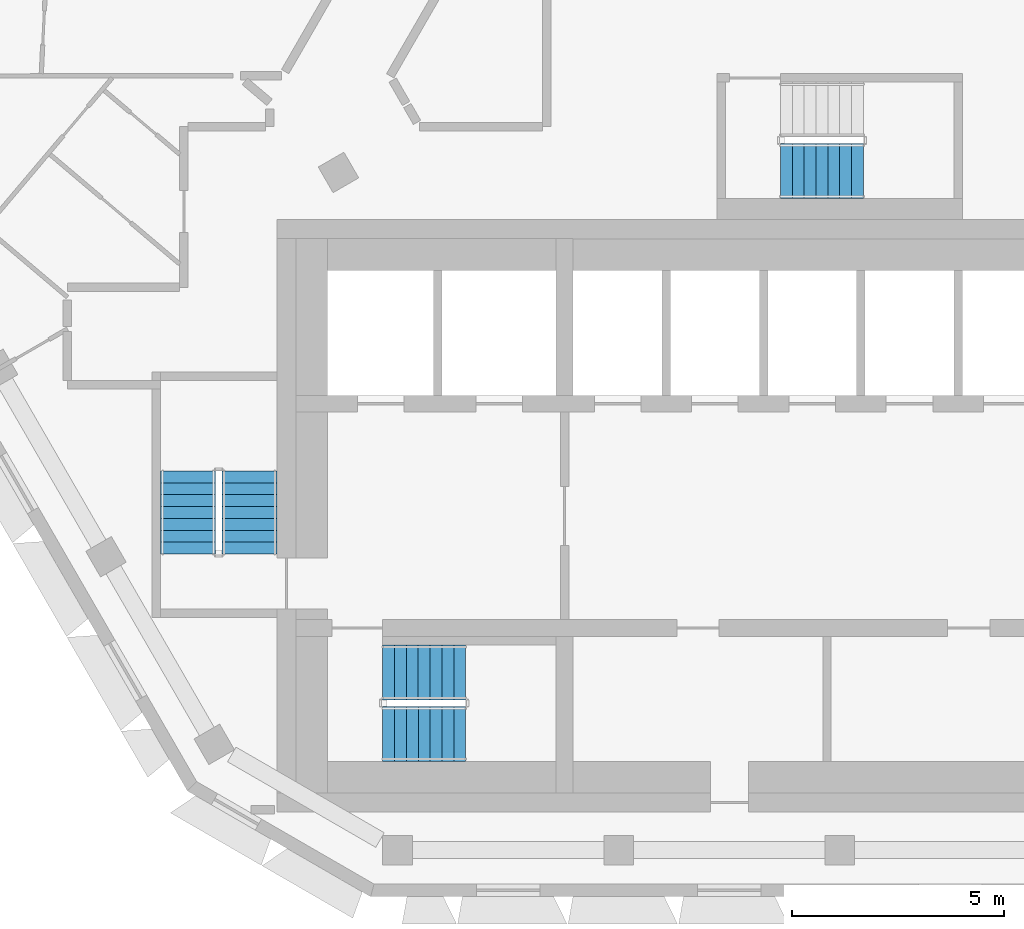
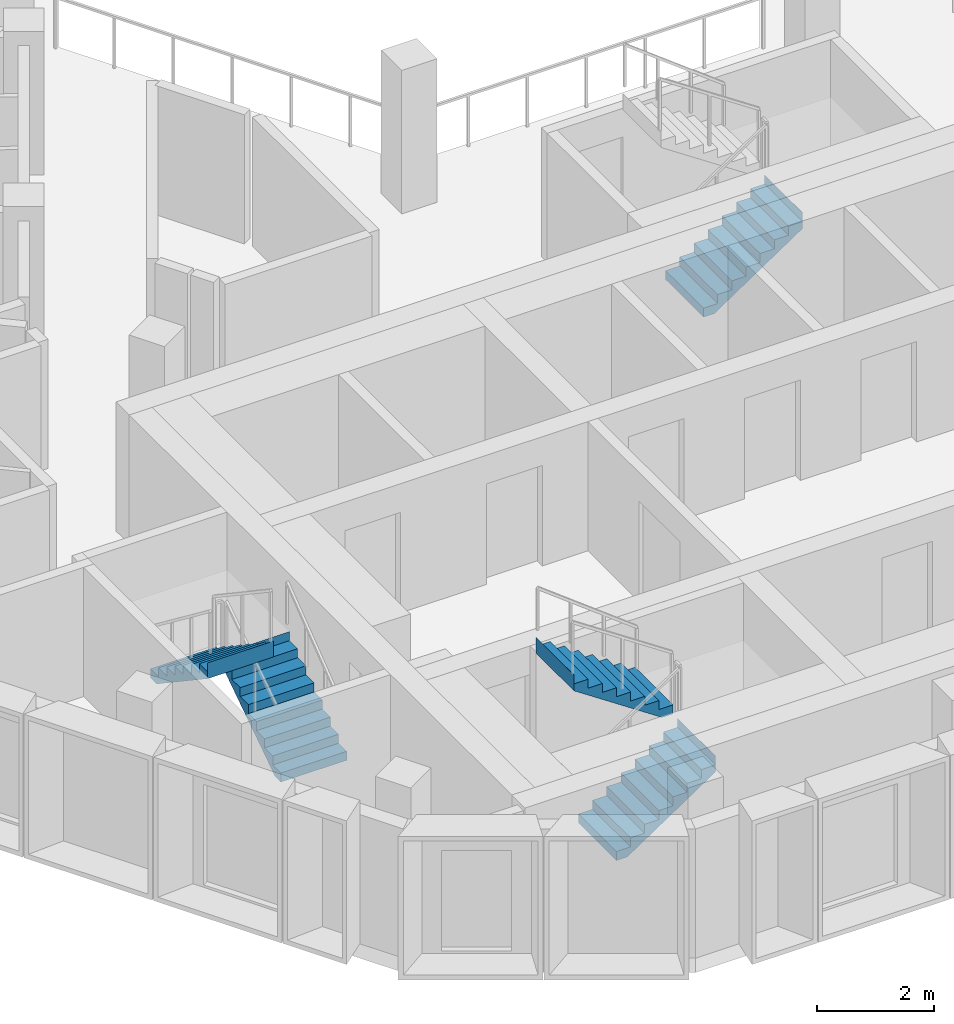
# One storey, part 9 of 15: 5 stair flights, 3 elements without a shape of their own.
"""IFC4 building model written with IfcOpenShell, lengths in metres."""

import ifcopenshell
import ifcopenshell.guid

model = None  # the IFC model being written
_history = None  # IfcOwnerHistory: only IFC2X3 demands one
_inside = {}  # id of a spatial element -> (the spatial element, [elements in it])
_under = {}  # id of a project, library or spatial element -> (it, [spatial elements below it])
_declared = {}  # id of a project -> (the project, [libraries it declares])
_typed = {}  # id of a type object -> (the type object, [elements of that type])
_made_of = {}  # id of a material, layer set ... -> (it, [elements and type objects made of it])


def new_model(schema):
    """Start an empty IFC model of exactly this schema.

    Asked for "IFC4X3", IfcOpenShell would pick the latest addendum, in which some entities
    have other attributes; the version numbers below select the first issue.
    IFC2X3 requires an IfcOwnerHistory on every rooted entity: one is made here for all.
    """
    global model, _history
    if schema == "IFC4X3":
        model = ifcopenshell.file(schema_version=(4, 3, 0, 0))
    else:
        model = ifcopenshell.file(schema=schema)
    _inside.clear()
    _under.clear()
    _declared.clear()
    _typed.clear()
    _made_of.clear()
    _history = None
    if model.schema == "IFC2X3":
        org = make("IfcOrganization", Name="unknown")
        user = make(
            "IfcPersonAndOrganization",
            ThePerson=make("IfcPerson", FamilyName="unknown"),
            TheOrganization=org,
        )
        app = make(
            "IfcApplication",
            ApplicationDeveloper=org,
            Version="unknown",
            ApplicationFullName="unknown",
            ApplicationIdentifier="unknown",
        )
        _history = make(
            "IfcOwnerHistory",
            OwningUser=user,
            OwningApplication=app,
            ChangeAction="ADDED",
            CreationDate=0,
        )
    return model


def make(cls, **values):
    """One entity of the class cls with the attributes given. An attribute that is None is left unset."""
    return model.create_entity(
        cls, **{name: value for name, value in values.items() if value is not None}
    )


def rooted(cls, **values):
    """An entity with a GlobalId (a new one), such as an element, a storey or a relation."""
    return make(cls, GlobalId=ifcopenshell.guid.new(), OwnerHistory=_history, **values)


def si_unit(unit_type, name, prefix=None):
    """IfcSIUnit, for example si_unit("LENGTHUNIT", "METRE", prefix="MILLI")."""
    return make("IfcSIUnit", UnitType=unit_type, Prefix=prefix, Name=name)


def assignment(units):
    """IfcUnitAssignment: the units of a project."""
    return None if units is None else make("IfcUnitAssignment", Units=units)


def point(xyz):
    """IfcCartesianPoint."""
    return None if xyz is None else make("IfcCartesianPoint", Coordinates=xyz)


def direction(xyz):
    """IfcDirection."""
    return None if xyz is None else make("IfcDirection", DirectionRatios=xyz)


def frame(location, z_axis=None, x_axis=None):
    """IfcAxis2Placement3D, a coordinate frame: its origin and axes. An axis left out is left unset."""
    return make(
        "IfcAxis2Placement3D",
        Location=point(location),
        Axis=direction(z_axis),
        RefDirection=direction(x_axis),
    )


def origin():
    """The frame at (0, 0, 0) with its axes left unset."""
    return frame((0.0, 0.0, 0.0))


def place(relative_to, where):
    """IfcLocalPlacement: puts the frame where relative to a parent placement (None: the world)."""
    return make(
        "IfcLocalPlacement", PlacementRelTo=relative_to, RelativePlacement=where
    )


def context(
    kind, dimensions, precision=None, world=None, true_north=None, identifier=None
):
    """IfcGeometricRepresentationContext, for example the 3D "Model" context."""
    return make(
        "IfcGeometricRepresentationContext",
        ContextIdentifier=identifier,
        ContextType=kind,
        CoordinateSpaceDimension=dimensions,
        Precision=precision,
        WorldCoordinateSystem=world,
        TrueNorth=true_north,
    )


def subcontext(parent, identifier, kind, view, scale=None):
    """IfcGeometricRepresentationSubContext, for example "Body" below "Model"."""
    return make(
        "IfcGeometricRepresentationSubContext",
        ContextIdentifier=identifier,
        ContextType=kind,
        ParentContext=parent,
        TargetScale=scale,
        TargetView=view,
    )


def project(units=None, contexts=None):
    """IfcProject with its units and contexts."""
    return rooted(
        "IfcProject",
        Name="project",
        RepresentationContexts=contexts,
        UnitsInContext=assignment(units),
    )


def spatial(cls, under=None, at=None, **own):
    """A site, building, storey or space (cls), placed at a placement, below another one or the project."""
    s = rooted(cls, ObjectPlacement=at, **own)
    if under is not None:
        _under.setdefault(under.id(), (under, []))[1].append(s)
    return s


def point_list(points):
    """IfcCartesianPointList2D or 3D."""
    cls = (
        "IfcCartesianPointList2D" if len(points[0]) == 2 else "IfcCartesianPointList3D"
    )
    return make(cls, CoordList=points)


def triangles(points, corners, closed=None, point_numbers=None):
    """IfcTriangulatedFaceSet: each triangle names its three corners, points numbered from 1."""
    return make(
        "IfcTriangulatedFaceSet",
        Coordinates=point_list(points),
        Closed=closed,
        CoordIndex=corners,
        PnIndex=point_numbers,
    )


def shape(context_of_items, identifier, shape_type, items):
    """IfcShapeRepresentation: the items that make up one representation, for example the "Body"."""
    return make(
        "IfcShapeRepresentation",
        ContextOfItems=context_of_items,
        RepresentationIdentifier=identifier,
        RepresentationType=shape_type,
        Items=items,
    )


def material(Name=None, Category=None):
    """IfcMaterial."""
    return make("IfcMaterial", Name=Name, Category=Category)


def made_of(thing, what):
    """Note that an element or type object is made of a material, layer set ...; save() writes the relation."""
    if what is not None:
        _made_of.setdefault(what.id(), (what, []))[1].append(thing)
    return thing


def type_object(cls, material=None, **own):
    """A type object (cls), such as IfcWallType, which elements share."""
    return made_of(rooted(cls, **own), material)


def element(
    cls,
    number,
    at=None,
    inside=None,
    cuts=None,
    type_object=None,
    material=None,
    context=None,
    identifier="Body",
    shape_type=None,
    held_by="IfcProductDefinitionShape",
    body=None,
    shapes=None,
    **own,
):
    """One element of the class cls, such as IfcWall. Its Tag is "e" and its number.

    at: its placement. inside: the storey or other place that contains it. cuts: it is an
    opening in that element (IfcRelVoidsElement). A single representation is given by context,
    identifier, shape_type and body (its items); several are given by shapes. held_by: the class
    of the entity that holds the representations. save() writes the other relations.
    """
    e = rooted(cls, Tag="e%d" % number, ObjectPlacement=at, **own)
    if body is not None:
        shapes = [shape(context, identifier, shape_type, body)]
    if shapes is not None:
        e.Representation = make(held_by, Representations=shapes)
    if inside is not None:
        _inside.setdefault(inside.id(), (inside, []))[1].append(e)
    if cuts is not None:
        rooted(
            "IfcRelVoidsElement", RelatingBuildingElement=cuts, RelatedOpeningElement=e
        )
    if type_object is not None:
        _typed.setdefault(type_object.id(), (type_object, []))[1].append(e)
    return made_of(e, material)


def aggregate(whole, parts):
    """IfcRelAggregates: a whole, such as a stair, and the parts it consists of."""
    return rooted("IfcRelAggregates", RelatingObject=whole, RelatedObjects=parts)


def save(model, path):
    """Write the relations noted so far, then the file.

    IfcRelAggregates (storeys below a building ...), IfcRelContainedInSpatialStructure (elements
    in a storey), IfcRelDefinesByType, IfcRelAssociatesMaterial and IfcRelDeclares: one each for
    every whole, place, type object, material and project.
    """
    for whole, parts in _under.values():
        aggregate(whole, parts)
    for where, things in _inside.values():
        rooted(
            "IfcRelContainedInSpatialStructure",
            RelatedElements=things,
            RelatingStructure=where,
        )
    for kind, things in _typed.values():
        rooted("IfcRelDefinesByType", RelatedObjects=things, RelatingType=kind)
    for what, things in _made_of.values():
        rooted("IfcRelAssociatesMaterial", RelatedObjects=things, RelatingMaterial=what)
    for by, libraries in _declared.values():
        rooted("IfcRelDeclares", RelatingContext=by, RelatedDefinitions=libraries)
    model.write(path)


model = new_model("IFC4")

# Units and contexts
model_context = context("Model", 3, precision=1e-05, world=origin(), true_north=direction((0.0, 1.0)))
body_context = subcontext(model_context, "Body", "Model", "MODEL_VIEW")
ifc_project = project(units=[si_unit("LENGTHUNIT", "METRE"), si_unit("AREAUNIT", "SQUARE_METRE"), si_unit("VOLUMEUNIT", "CUBIC_METRE"), si_unit("PLANEANGLEUNIT", "RADIAN"), si_unit("MASSUNIT", "GRAM", prefix="KILO")], contexts=[model_context])

# Site, building, storey
site_placement = place(None, origin())
site = spatial("IfcSite", under=ifc_project, at=site_placement, CompositionType="ELEMENT")
building_placement = place(site_placement, origin())
building = spatial("IfcBuilding", under=site, at=building_placement, Name="Beryl Residences", CompositionType="ELEMENT")
storey_placement = place(building_placement, frame((0.0, 0.0, 211.800048828125)))
storey = spatial("IfcBuildingStorey", under=building, at=storey_placement, Name="L65", CompositionType="ELEMENT", Elevation=211.800048828125)

# Stair, stair flights
ifc_material_1 = material(Name="Concrete C40/50", Category="concrete")
stair_type = type_object("IfcStairType", Name="ST1 protected exit stair, half-turn, 1300 mm flights", PredefinedType="HALF_TURN_STAIR", material=ifc_material_1)
stair_1_placement = place(storey_placement, origin())
stair_1 = element("IfcStair", 1, at=stair_1_placement, inside=storey, type_object=stair_type, Name="L65 PROTECTED EXIT STAIR ST-1", PredefinedType="HALF_TURN_STAIR")
ifc_material_2 = material(Name="Concrete C40/50", Category="concrete")
stair_flight_type = type_object("IfcStairFlightType", Name="SF1 stair flight 1300 mm", PredefinedType="STRAIGHT", material=ifc_material_2)
stair_flight_1_placement = place(storey_placement, frame((-10.800048828125, -17.14990234375, 0.0), z_axis=(0.0, 0.0, 1.0), x_axis=(1.0, 0.0, 0.0)))
stair_flight_1 = element("IfcStairFlight", 2, at=stair_flight_1_placement, type_object=stair_flight_type, Name="ST-1 flight 1", NumberOfRisers=8, NumberOfTreads=7, PredefinedType="STRAIGHT", RiserHeight=0.1875, TreadLength=0.28, context=body_context, shape_type="Tessellation", body=[
    triangles([(0.0, -0.64990234375, 0.0), (0.0, -0.324951171875, 0.0), (0.0, 0.0, 0.0), (0.0, 0.324951171875, 0.0), (0.0, 0.64990234375, 0.0), (0.0, -0.64990234375, 0.1875), (0.0, -0.324951171875, 0.1875), (0.0, 0.0, 0.1875), (0.0, 0.324951171875, 0.1875), (0.0, 0.64990234375, 0.1875), (0.280029296875, -0.64990234375, 0.1875), (0.280029296875, -0.324951171875, 0.1875), (0.280029296875, 0.0, 0.1875), (0.280029296875, 0.324951171875, 0.1875), (0.280029296875, 0.64990234375, 0.1875), (0.280029296875, -0.64990234375, 0.375), (0.280029296875, -0.324951171875, 0.375), (0.280029296875, 0.0, 0.375), (0.280029296875, 0.324951171875, 0.375), (0.280029296875, 0.64990234375, 0.375), (0.56005859375, -0.64990234375, 0.375), (0.56005859375, -0.324951171875, 0.375), (0.56005859375, 0.0, 0.375), (0.56005859375, 0.324951171875, 0.375), (0.56005859375, 0.64990234375, 0.375), (0.56005859375, -0.64990234375, 0.5625), (0.56005859375, -0.324951171875, 0.5625), (0.56005859375, 0.0, 0.5625), (0.56005859375, 0.324951171875, 0.5625), (0.56005859375, 0.64990234375, 0.5625), (0.840087890625, -0.64990234375, 0.5625), (0.840087890625, -0.324951171875, 0.5625), (0.840087890625, 0.0, 0.5625), (0.840087890625, 0.324951171875, 0.5625), (0.840087890625, 0.64990234375, 0.5625), (0.840087890625, -0.64990234375, 0.75), (0.840087890625, -0.324951171875, 0.75), (0.840087890625, 0.0, 0.75), (0.840087890625, 0.324951171875, 0.75), (0.840087890625, 0.64990234375, 0.75), (1.1201171875, -0.64990234375, 0.75), (1.1201171875, -0.324951171875, 0.75), (1.1201171875, 0.0, 0.75), (1.1201171875, 0.324951171875, 0.75), (1.1201171875, 0.64990234375, 0.75), (1.1201171875, -0.64990234375, 0.9375), (1.1201171875, -0.324951171875, 0.9375), (1.1201171875, 0.0, 0.9375), (1.1201171875, 0.324951171875, 0.9375), (1.1201171875, 0.64990234375, 0.9375), (1.39990234375, -0.64990234375, 0.9375), (1.39990234375, -0.324951171875, 0.9375), (1.39990234375, 0.0, 0.9375), (1.39990234375, 0.324951171875, 0.9375), (1.39990234375, 0.64990234375, 0.9375), (1.39990234375, -0.64990234375, 1.125), (1.39990234375, -0.324951171875, 1.125), (1.39990234375, 0.0, 1.125), (1.39990234375, 0.324951171875, 1.125), (1.39990234375, 0.64990234375, 1.125), (1.679931640625, -0.64990234375, 1.125), (1.679931640625, -0.324951171875, 1.125), (1.679931640625, 0.0, 1.125), (1.679931640625, 0.324951171875, 1.125), (1.679931640625, 0.64990234375, 1.125), (1.679931640625, -0.64990234375, 1.3125), (1.679931640625, -0.324951171875, 1.3125), (1.679931640625, 0.0, 1.3125), (1.679931640625, 0.324951171875, 1.3125), (1.679931640625, 0.64990234375, 1.3125), (1.9599609375, -0.64990234375, 1.3125), (1.9599609375, -0.324951171875, 1.3125), (1.9599609375, 0.0, 1.3125), (1.9599609375, 0.324951171875, 1.3125), (1.9599609375, 0.64990234375, 1.3125), (1.9599609375, -0.64990234375, 1.5), (1.9599609375, -0.324951171875, 1.5), (1.9599609375, 0.0, 1.5), (1.9599609375, 0.324951171875, 1.5), (1.9599609375, 0.64990234375, 1.5), (1.9609375, -0.64990234375, 1.5), (1.9609375, -0.324951171875, 1.5), (1.9609375, 0.0, 1.5), (1.9609375, 0.324951171875, 1.5), (1.9609375, 0.64990234375, 1.5), (1.9609375, -0.64990234375, 1.16796875), (1.9609375, -0.324951171875, 1.16796875), (1.9609375, 0.0, 1.16796875), (1.9609375, 0.324951171875, 1.16796875), (1.9609375, 0.64990234375, 1.16796875), (0.216796875, -0.64990234375, 0.0), (0.216796875, -0.324951171875, 0.0), (0.216796875, 0.0, 0.0), (0.216796875, 0.324951171875, 0.0), (0.216796875, 0.64990234375, 0.0)], [[1, 6, 7], [1, 7, 2], [2, 7, 8], [2, 8, 3], [3, 8, 9], [3, 9, 4], [4, 9, 10], [4, 10, 5], [6, 11, 12], [6, 12, 7], [7, 12, 13], [7, 13, 8], [8, 13, 14], [8, 14, 9], [9, 14, 15], [9, 15, 10], [11, 16, 17], [11, 17, 12], [12, 17, 18], [12, 18, 13], [13, 18, 19], [13, 19, 14], [14, 19, 20], [14, 20, 15], [16, 21, 22], [16, 22, 17], [17, 22, 23], [17, 23, 18], [18, 23, 24], [18, 24, 19], [19, 24, 25], [19, 25, 20], [21, 26, 27], [21, 27, 22], [22, 27, 28], [22, 28, 23], [23, 28, 29], [23, 29, 24], [24, 29, 30], [24, 30, 25], [26, 31, 32], [26, 32, 27], [27, 32, 33], [27, 33, 28], [28, 33, 34], [28, 34, 29], [29, 34, 35], [29, 35, 30], [31, 36, 37], [31, 37, 32], [32, 37, 38], [32, 38, 33], [33, 38, 39], [33, 39, 34], [34, 39, 40], [34, 40, 35], [36, 41, 42], [36, 42, 37], [37, 42, 43], [37, 43, 38], [38, 43, 44], [38, 44, 39], [39, 44, 45], [39, 45, 40], [41, 46, 47], [41, 47, 42], [42, 47, 48], [42, 48, 43], [43, 48, 49], [43, 49, 44], [44, 49, 50], [44, 50, 45], [46, 51, 52], [46, 52, 47], [47, 52, 53], [47, 53, 48], [48, 53, 54], [48, 54, 49], [49, 54, 55], [49, 55, 50], [51, 56, 57], [51, 57, 52], [52, 57, 58], [52, 58, 53], [53, 58, 59], [53, 59, 54], [54, 59, 60], [54, 60, 55], [56, 61, 62], [56, 62, 57], [57, 62, 63], [57, 63, 58], [58, 63, 64], [58, 64, 59], [59, 64, 65], [59, 65, 60], [61, 66, 67], [61, 67, 62], [62, 67, 68], [62, 68, 63], [63, 68, 69], [63, 69, 64], [64, 69, 70], [64, 70, 65], [66, 71, 72], [66, 72, 67], [67, 72, 73], [67, 73, 68], [68, 73, 74], [68, 74, 69], [69, 74, 75], [69, 75, 70], [71, 76, 77], [71, 77, 72], [72, 77, 78], [72, 78, 73], [73, 78, 79], [73, 79, 74], [74, 79, 80], [74, 80, 75], [76, 81, 82], [76, 82, 77], [77, 82, 83], [77, 83, 78], [78, 83, 84], [78, 84, 79], [79, 84, 85], [79, 85, 80], [81, 86, 87], [81, 87, 82], [82, 87, 88], [82, 88, 83], [83, 88, 89], [83, 89, 84], [84, 89, 90], [84, 90, 85], [86, 91, 92], [86, 92, 87], [87, 92, 93], [87, 93, 88], [88, 93, 94], [88, 94, 89], [89, 94, 95], [89, 95, 90], [91, 1, 2], [91, 2, 92], [92, 2, 3], [92, 3, 93], [93, 3, 4], [93, 4, 94], [94, 4, 5], [94, 5, 95], [1, 91, 86], [5, 90, 95], [86, 81, 76], [90, 80, 85], [86, 76, 71], [90, 75, 80], [86, 71, 66], [90, 70, 75], [86, 66, 61], [90, 65, 70], [61, 56, 51], [65, 55, 60], [86, 61, 51], [90, 55, 65], [51, 46, 41], [55, 45, 50], [86, 51, 41], [90, 45, 55], [41, 36, 31], [45, 35, 40], [86, 41, 31], [90, 35, 45], [31, 26, 21], [35, 25, 30], [86, 31, 21], [90, 25, 35], [21, 16, 11], [25, 15, 20], [86, 21, 11], [90, 15, 25], [1, 86, 11], [5, 15, 90], [11, 6, 1], [15, 5, 10]], closed=True),
])
stair_flight_2_placement = place(storey_placement, frame((-8.840087890625, -15.699951171875, 1.5), z_axis=(0.0, 0.0, 1.0), x_axis=(-1.0, 0.0, 0.0)))
stair_flight_2 = element("IfcStairFlight", 3, at=stair_flight_2_placement, type_object=stair_flight_type, Name="ST-1 flight 2", NumberOfRisers=8, NumberOfTreads=7, PredefinedType="STRAIGHT", RiserHeight=0.1875, TreadLength=0.28, context=body_context, shape_type="Tessellation", body=[
    triangles([(0.0, -0.64990234375, 0.0), (0.0, -0.324951171875, 0.0), (0.0, 0.0, 0.0), (0.0, 0.324951171875, 0.0), (0.0, 0.64990234375, 0.0), (0.0, -0.64990234375, 0.1875), (0.0, -0.324951171875, 0.1875), (0.0, 0.0, 0.1875), (0.0, 0.324951171875, 0.1875), (0.0, 0.64990234375, 0.1875), (0.280029296875, -0.64990234375, 0.1875), (0.280029296875, -0.324951171875, 0.1875), (0.280029296875, 0.0, 0.1875), (0.280029296875, 0.324951171875, 0.1875), (0.280029296875, 0.64990234375, 0.1875), (0.280029296875, -0.64990234375, 0.375), (0.280029296875, -0.324951171875, 0.375), (0.280029296875, 0.0, 0.375), (0.280029296875, 0.324951171875, 0.375), (0.280029296875, 0.64990234375, 0.375), (0.56005859375, -0.64990234375, 0.375), (0.56005859375, -0.324951171875, 0.375), (0.56005859375, 0.0, 0.375), (0.56005859375, 0.324951171875, 0.375), (0.56005859375, 0.64990234375, 0.375), (0.56005859375, -0.64990234375, 0.5625), (0.56005859375, -0.324951171875, 0.5625), (0.56005859375, 0.0, 0.5625), (0.56005859375, 0.324951171875, 0.5625), (0.56005859375, 0.64990234375, 0.5625), (0.840087890625, -0.64990234375, 0.5625), (0.840087890625, -0.324951171875, 0.5625), (0.840087890625, 0.0, 0.5625), (0.840087890625, 0.324951171875, 0.5625), (0.840087890625, 0.64990234375, 0.5625), (0.840087890625, -0.64990234375, 0.75), (0.840087890625, -0.324951171875, 0.75), (0.840087890625, 0.0, 0.75), (0.840087890625, 0.324951171875, 0.75), (0.840087890625, 0.64990234375, 0.75), (1.1201171875, -0.64990234375, 0.75), (1.1201171875, -0.324951171875, 0.75), (1.1201171875, 0.0, 0.75), (1.1201171875, 0.324951171875, 0.75), (1.1201171875, 0.64990234375, 0.75), (1.1201171875, -0.64990234375, 0.9375), (1.1201171875, -0.324951171875, 0.9375), (1.1201171875, 0.0, 0.9375), (1.1201171875, 0.324951171875, 0.9375), (1.1201171875, 0.64990234375, 0.9375), (1.39990234375, -0.64990234375, 0.9375), (1.39990234375, -0.324951171875, 0.9375), (1.39990234375, 0.0, 0.9375), (1.39990234375, 0.324951171875, 0.9375), (1.39990234375, 0.64990234375, 0.9375), (1.39990234375, -0.64990234375, 1.125), (1.39990234375, -0.324951171875, 1.125), (1.39990234375, 0.0, 1.125), (1.39990234375, 0.324951171875, 1.125), (1.39990234375, 0.64990234375, 1.125), (1.679931640625, -0.64990234375, 1.125), (1.679931640625, -0.324951171875, 1.125), (1.679931640625, 0.0, 1.125), (1.679931640625, 0.324951171875, 1.125), (1.679931640625, 0.64990234375, 1.125), (1.679931640625, -0.64990234375, 1.3125), (1.679931640625, -0.324951171875, 1.3125), (1.679931640625, 0.0, 1.3125), (1.679931640625, 0.324951171875, 1.3125), (1.679931640625, 0.64990234375, 1.3125), (1.9599609375, -0.64990234375, 1.3125), (1.9599609375, -0.324951171875, 1.3125), (1.9599609375, 0.0, 1.3125), (1.9599609375, 0.324951171875, 1.3125), (1.9599609375, 0.64990234375, 1.3125), (1.9599609375, -0.64990234375, 1.5), (1.9599609375, -0.324951171875, 1.5), (1.9599609375, 0.0, 1.5), (1.9599609375, 0.324951171875, 1.5), (1.9599609375, 0.64990234375, 1.5), (1.9609375, -0.64990234375, 1.5), (1.9609375, -0.324951171875, 1.5), (1.9609375, 0.0, 1.5), (1.9609375, 0.324951171875, 1.5), (1.9609375, 0.64990234375, 1.5), (1.9609375, -0.64990234375, 1.16796875), (1.9609375, -0.324951171875, 1.16796875), (1.9609375, 0.0, 1.16796875), (1.9609375, 0.324951171875, 1.16796875), (1.9609375, 0.64990234375, 1.16796875), (0.216796875, -0.64990234375, 0.0), (0.216796875, -0.324951171875, 0.0), (0.216796875, 0.0, 0.0), (0.216796875, 0.324951171875, 0.0), (0.216796875, 0.64990234375, 0.0)], [[1, 6, 7], [1, 7, 2], [2, 7, 8], [2, 8, 3], [3, 8, 9], [3, 9, 4], [4, 9, 10], [4, 10, 5], [6, 11, 12], [6, 12, 7], [7, 12, 13], [7, 13, 8], [8, 13, 14], [8, 14, 9], [9, 14, 15], [9, 15, 10], [11, 16, 17], [11, 17, 12], [12, 17, 18], [12, 18, 13], [13, 18, 19], [13, 19, 14], [14, 19, 20], [14, 20, 15], [16, 21, 22], [16, 22, 17], [17, 22, 23], [17, 23, 18], [18, 23, 24], [18, 24, 19], [19, 24, 25], [19, 25, 20], [21, 26, 27], [21, 27, 22], [22, 27, 28], [22, 28, 23], [23, 28, 29], [23, 29, 24], [24, 29, 30], [24, 30, 25], [26, 31, 32], [26, 32, 27], [27, 32, 33], [27, 33, 28], [28, 33, 34], [28, 34, 29], [29, 34, 35], [29, 35, 30], [31, 36, 37], [31, 37, 32], [32, 37, 38], [32, 38, 33], [33, 38, 39], [33, 39, 34], [34, 39, 40], [34, 40, 35], [36, 41, 42], [36, 42, 37], [37, 42, 43], [37, 43, 38], [38, 43, 44], [38, 44, 39], [39, 44, 45], [39, 45, 40], [41, 46, 47], [41, 47, 42], [42, 47, 48], [42, 48, 43], [43, 48, 49], [43, 49, 44], [44, 49, 50], [44, 50, 45], [46, 51, 52], [46, 52, 47], [47, 52, 53], [47, 53, 48], [48, 53, 54], [48, 54, 49], [49, 54, 55], [49, 55, 50], [51, 56, 57], [51, 57, 52], [52, 57, 58], [52, 58, 53], [53, 58, 59], [53, 59, 54], [54, 59, 60], [54, 60, 55], [56, 61, 62], [56, 62, 57], [57, 62, 63], [57, 63, 58], [58, 63, 64], [58, 64, 59], [59, 64, 65], [59, 65, 60], [61, 66, 67], [61, 67, 62], [62, 67, 68], [62, 68, 63], [63, 68, 69], [63, 69, 64], [64, 69, 70], [64, 70, 65], [66, 71, 72], [66, 72, 67], [67, 72, 73], [67, 73, 68], [68, 73, 74], [68, 74, 69], [69, 74, 75], [69, 75, 70], [71, 76, 77], [71, 77, 72], [72, 77, 78], [72, 78, 73], [73, 78, 79], [73, 79, 74], [74, 79, 80], [74, 80, 75], [76, 81, 82], [76, 82, 77], [77, 82, 83], [77, 83, 78], [78, 83, 84], [78, 84, 79], [79, 84, 85], [79, 85, 80], [81, 86, 87], [81, 87, 82], [82, 87, 88], [82, 88, 83], [83, 88, 89], [83, 89, 84], [84, 89, 90], [84, 90, 85], [86, 91, 92], [86, 92, 87], [87, 92, 93], [87, 93, 88], [88, 93, 94], [88, 94, 89], [89, 94, 95], [89, 95, 90], [91, 1, 2], [91, 2, 92], [92, 2, 3], [92, 3, 93], [93, 3, 4], [93, 4, 94], [94, 4, 5], [94, 5, 95], [1, 91, 86], [5, 90, 95], [86, 81, 76], [90, 80, 85], [86, 76, 71], [90, 75, 80], [86, 71, 66], [90, 70, 75], [86, 66, 61], [90, 65, 70], [61, 56, 51], [65, 55, 60], [86, 61, 51], [90, 55, 65], [51, 46, 41], [55, 45, 50], [86, 51, 41], [90, 45, 55], [41, 36, 31], [45, 35, 40], [86, 41, 31], [90, 35, 45], [31, 26, 21], [35, 25, 30], [86, 31, 21], [90, 25, 35], [21, 16, 11], [25, 15, 20], [86, 21, 11], [90, 15, 25], [1, 86, 11], [5, 15, 90], [11, 6, 1], [15, 5, 10]], closed=True),
])
aggregate(stair_1, [stair_flight_1, stair_flight_2])

stair_2_placement = place(storey_placement, origin())
stair_2 = element("IfcStair", 4, at=stair_2_placement, inside=storey, type_object=stair_type, Name="L65 PROTECTED EXIT STAIR ST-2", PredefinedType="HALF_TURN_STAIR")
stair_flight_3_placement = place(storey_placement, frame((-13.949951171875, -12.89990234375, 0.0), z_axis=(0.0, 0.0, 1.0), x_axis=(0.0, 1.0, 0.0)))
stair_flight_3 = element("IfcStairFlight", 5, at=stair_flight_3_placement, type_object=stair_flight_type, Name="ST-2 flight 1", NumberOfRisers=8, NumberOfTreads=7, PredefinedType="STRAIGHT", RiserHeight=0.1875, TreadLength=0.28, context=body_context, shape_type="Tessellation", body=[
    triangles([(0.0, -0.64990234375, 0.0), (0.0, -0.324951171875, 0.0), (0.0, 0.0, 0.0), (0.0, 0.324951171875, 0.0), (0.0, 0.64990234375, 0.0), (0.0, -0.64990234375, 0.1875), (0.0, -0.324951171875, 0.1875), (0.0, 0.0, 0.1875), (0.0, 0.324951171875, 0.1875), (0.0, 0.64990234375, 0.1875), (0.280029296875, -0.64990234375, 0.1875), (0.280029296875, -0.324951171875, 0.1875), (0.280029296875, 0.0, 0.1875), (0.280029296875, 0.324951171875, 0.1875), (0.280029296875, 0.64990234375, 0.1875), (0.280029296875, -0.64990234375, 0.375), (0.280029296875, -0.324951171875, 0.375), (0.280029296875, 0.0, 0.375), (0.280029296875, 0.324951171875, 0.375), (0.280029296875, 0.64990234375, 0.375), (0.56005859375, -0.64990234375, 0.375), (0.56005859375, -0.324951171875, 0.375), (0.56005859375, 0.0, 0.375), (0.56005859375, 0.324951171875, 0.375), (0.56005859375, 0.64990234375, 0.375), (0.56005859375, -0.64990234375, 0.5625), (0.56005859375, -0.324951171875, 0.5625), (0.56005859375, 0.0, 0.5625), (0.56005859375, 0.324951171875, 0.5625), (0.56005859375, 0.64990234375, 0.5625), (0.840087890625, -0.64990234375, 0.5625), (0.840087890625, -0.324951171875, 0.5625), (0.840087890625, 0.0, 0.5625), (0.840087890625, 0.324951171875, 0.5625), (0.840087890625, 0.64990234375, 0.5625), (0.840087890625, -0.64990234375, 0.75), (0.840087890625, -0.324951171875, 0.75), (0.840087890625, 0.0, 0.75), (0.840087890625, 0.324951171875, 0.75), (0.840087890625, 0.64990234375, 0.75), (1.1201171875, -0.64990234375, 0.75), (1.1201171875, -0.324951171875, 0.75), (1.1201171875, 0.0, 0.75), (1.1201171875, 0.324951171875, 0.75), (1.1201171875, 0.64990234375, 0.75), (1.1201171875, -0.64990234375, 0.9375), (1.1201171875, -0.324951171875, 0.9375), (1.1201171875, 0.0, 0.9375), (1.1201171875, 0.324951171875, 0.9375), (1.1201171875, 0.64990234375, 0.9375), (1.39990234375, -0.64990234375, 0.9375), (1.39990234375, -0.324951171875, 0.9375), (1.39990234375, 0.0, 0.9375), (1.39990234375, 0.324951171875, 0.9375), (1.39990234375, 0.64990234375, 0.9375), (1.39990234375, -0.64990234375, 1.125), (1.39990234375, -0.324951171875, 1.125), (1.39990234375, 0.0, 1.125), (1.39990234375, 0.324951171875, 1.125), (1.39990234375, 0.64990234375, 1.125), (1.679931640625, -0.64990234375, 1.125), (1.679931640625, -0.324951171875, 1.125), (1.679931640625, 0.0, 1.125), (1.679931640625, 0.324951171875, 1.125), (1.679931640625, 0.64990234375, 1.125), (1.679931640625, -0.64990234375, 1.3125), (1.679931640625, -0.324951171875, 1.3125), (1.679931640625, 0.0, 1.3125), (1.679931640625, 0.324951171875, 1.3125), (1.679931640625, 0.64990234375, 1.3125), (1.9599609375, -0.64990234375, 1.3125), (1.9599609375, -0.324951171875, 1.3125), (1.9599609375, 0.0, 1.3125), (1.9599609375, 0.324951171875, 1.3125), (1.9599609375, 0.64990234375, 1.3125), (1.9599609375, -0.64990234375, 1.5), (1.9599609375, -0.324951171875, 1.5), (1.9599609375, 0.0, 1.5), (1.9599609375, 0.324951171875, 1.5), (1.9599609375, 0.64990234375, 1.5), (1.9609375, -0.64990234375, 1.5), (1.9609375, -0.324951171875, 1.5), (1.9609375, 0.0, 1.5), (1.9609375, 0.324951171875, 1.5), (1.9609375, 0.64990234375, 1.5), (1.9609375, -0.64990234375, 1.16796875), (1.9609375, -0.324951171875, 1.16796875), (1.9609375, 0.0, 1.16796875), (1.9609375, 0.324951171875, 1.16796875), (1.9609375, 0.64990234375, 1.16796875), (0.216796875, -0.64990234375, 0.0), (0.216796875, -0.324951171875, 0.0), (0.216796875, 0.0, 0.0), (0.216796875, 0.324951171875, 0.0), (0.216796875, 0.64990234375, 0.0)], [[1, 6, 7], [1, 7, 2], [2, 7, 8], [2, 8, 3], [3, 8, 9], [3, 9, 4], [4, 9, 10], [4, 10, 5], [6, 11, 12], [6, 12, 7], [7, 12, 13], [7, 13, 8], [8, 13, 14], [8, 14, 9], [9, 14, 15], [9, 15, 10], [11, 16, 17], [11, 17, 12], [12, 17, 18], [12, 18, 13], [13, 18, 19], [13, 19, 14], [14, 19, 20], [14, 20, 15], [16, 21, 22], [16, 22, 17], [17, 22, 23], [17, 23, 18], [18, 23, 24], [18, 24, 19], [19, 24, 25], [19, 25, 20], [21, 26, 27], [21, 27, 22], [22, 27, 28], [22, 28, 23], [23, 28, 29], [23, 29, 24], [24, 29, 30], [24, 30, 25], [26, 31, 32], [26, 32, 27], [27, 32, 33], [27, 33, 28], [28, 33, 34], [28, 34, 29], [29, 34, 35], [29, 35, 30], [31, 36, 37], [31, 37, 32], [32, 37, 38], [32, 38, 33], [33, 38, 39], [33, 39, 34], [34, 39, 40], [34, 40, 35], [36, 41, 42], [36, 42, 37], [37, 42, 43], [37, 43, 38], [38, 43, 44], [38, 44, 39], [39, 44, 45], [39, 45, 40], [41, 46, 47], [41, 47, 42], [42, 47, 48], [42, 48, 43], [43, 48, 49], [43, 49, 44], [44, 49, 50], [44, 50, 45], [46, 51, 52], [46, 52, 47], [47, 52, 53], [47, 53, 48], [48, 53, 54], [48, 54, 49], [49, 54, 55], [49, 55, 50], [51, 56, 57], [51, 57, 52], [52, 57, 58], [52, 58, 53], [53, 58, 59], [53, 59, 54], [54, 59, 60], [54, 60, 55], [56, 61, 62], [56, 62, 57], [57, 62, 63], [57, 63, 58], [58, 63, 64], [58, 64, 59], [59, 64, 65], [59, 65, 60], [61, 66, 67], [61, 67, 62], [62, 67, 68], [62, 68, 63], [63, 68, 69], [63, 69, 64], [64, 69, 70], [64, 70, 65], [66, 71, 72], [66, 72, 67], [67, 72, 73], [67, 73, 68], [68, 73, 74], [68, 74, 69], [69, 74, 75], [69, 75, 70], [71, 76, 77], [71, 77, 72], [72, 77, 78], [72, 78, 73], [73, 78, 79], [73, 79, 74], [74, 79, 80], [74, 80, 75], [76, 81, 82], [76, 82, 77], [77, 82, 83], [77, 83, 78], [78, 83, 84], [78, 84, 79], [79, 84, 85], [79, 85, 80], [81, 86, 87], [81, 87, 82], [82, 87, 88], [82, 88, 83], [83, 88, 89], [83, 89, 84], [84, 89, 90], [84, 90, 85], [86, 91, 92], [86, 92, 87], [87, 92, 93], [87, 93, 88], [88, 93, 94], [88, 94, 89], [89, 94, 95], [89, 95, 90], [91, 1, 2], [91, 2, 92], [92, 2, 3], [92, 3, 93], [93, 3, 4], [93, 4, 94], [94, 4, 5], [94, 5, 95], [1, 91, 86], [5, 90, 95], [86, 81, 76], [90, 80, 85], [86, 76, 71], [90, 75, 80], [86, 71, 66], [90, 70, 75], [86, 66, 61], [90, 65, 70], [61, 56, 51], [65, 55, 60], [86, 61, 51], [90, 55, 65], [51, 46, 41], [55, 45, 50], [86, 51, 41], [90, 45, 55], [41, 36, 31], [45, 35, 40], [86, 41, 31], [90, 35, 45], [31, 26, 21], [35, 25, 30], [86, 31, 21], [90, 25, 35], [21, 16, 11], [25, 15, 20], [86, 21, 11], [90, 15, 25], [1, 86, 11], [5, 15, 90], [11, 6, 1], [15, 5, 10]], closed=True),
])
stair_flight_4_placement = place(storey_placement, frame((-15.39990234375, -10.93994140625, 1.5), z_axis=(0.0, 0.0, 1.0), x_axis=(0.0, -1.0, 0.0)))
stair_flight_4 = element("IfcStairFlight", 6, at=stair_flight_4_placement, type_object=stair_flight_type, Name="ST-2 flight 2", NumberOfRisers=8, NumberOfTreads=7, PredefinedType="STRAIGHT", RiserHeight=0.1875, TreadLength=0.28, context=body_context, shape_type="Tessellation", body=[
    triangles([(0.0, -0.64990234375, 0.0), (0.0, -0.324951171875, 0.0), (0.0, 0.0, 0.0), (0.0, 0.324951171875, 0.0), (0.0, 0.64990234375, 0.0), (0.0, -0.64990234375, 0.1875), (0.0, -0.324951171875, 0.1875), (0.0, 0.0, 0.1875), (0.0, 0.324951171875, 0.1875), (0.0, 0.64990234375, 0.1875), (0.280029296875, -0.64990234375, 0.1875), (0.280029296875, -0.324951171875, 0.1875), (0.280029296875, 0.0, 0.1875), (0.280029296875, 0.324951171875, 0.1875), (0.280029296875, 0.64990234375, 0.1875), (0.280029296875, -0.64990234375, 0.375), (0.280029296875, -0.324951171875, 0.375), (0.280029296875, 0.0, 0.375), (0.280029296875, 0.324951171875, 0.375), (0.280029296875, 0.64990234375, 0.375), (0.56005859375, -0.64990234375, 0.375), (0.56005859375, -0.324951171875, 0.375), (0.56005859375, 0.0, 0.375), (0.56005859375, 0.324951171875, 0.375), (0.56005859375, 0.64990234375, 0.375), (0.56005859375, -0.64990234375, 0.5625), (0.56005859375, -0.324951171875, 0.5625), (0.56005859375, 0.0, 0.5625), (0.56005859375, 0.324951171875, 0.5625), (0.56005859375, 0.64990234375, 0.5625), (0.840087890625, -0.64990234375, 0.5625), (0.840087890625, -0.324951171875, 0.5625), (0.840087890625, 0.0, 0.5625), (0.840087890625, 0.324951171875, 0.5625), (0.840087890625, 0.64990234375, 0.5625), (0.840087890625, -0.64990234375, 0.75), (0.840087890625, -0.324951171875, 0.75), (0.840087890625, 0.0, 0.75), (0.840087890625, 0.324951171875, 0.75), (0.840087890625, 0.64990234375, 0.75), (1.1201171875, -0.64990234375, 0.75), (1.1201171875, -0.324951171875, 0.75), (1.1201171875, 0.0, 0.75), (1.1201171875, 0.324951171875, 0.75), (1.1201171875, 0.64990234375, 0.75), (1.1201171875, -0.64990234375, 0.9375), (1.1201171875, -0.324951171875, 0.9375), (1.1201171875, 0.0, 0.9375), (1.1201171875, 0.324951171875, 0.9375), (1.1201171875, 0.64990234375, 0.9375), (1.39990234375, -0.64990234375, 0.9375), (1.39990234375, -0.324951171875, 0.9375), (1.39990234375, 0.0, 0.9375), (1.39990234375, 0.324951171875, 0.9375), (1.39990234375, 0.64990234375, 0.9375), (1.39990234375, -0.64990234375, 1.125), (1.39990234375, -0.324951171875, 1.125), (1.39990234375, 0.0, 1.125), (1.39990234375, 0.324951171875, 1.125), (1.39990234375, 0.64990234375, 1.125), (1.679931640625, -0.64990234375, 1.125), (1.679931640625, -0.324951171875, 1.125), (1.679931640625, 0.0, 1.125), (1.679931640625, 0.324951171875, 1.125), (1.679931640625, 0.64990234375, 1.125), (1.679931640625, -0.64990234375, 1.3125), (1.679931640625, -0.324951171875, 1.3125), (1.679931640625, 0.0, 1.3125), (1.679931640625, 0.324951171875, 1.3125), (1.679931640625, 0.64990234375, 1.3125), (1.9599609375, -0.64990234375, 1.3125), (1.9599609375, -0.324951171875, 1.3125), (1.9599609375, 0.0, 1.3125), (1.9599609375, 0.324951171875, 1.3125), (1.9599609375, 0.64990234375, 1.3125), (1.9599609375, -0.64990234375, 1.5), (1.9599609375, -0.324951171875, 1.5), (1.9599609375, 0.0, 1.5), (1.9599609375, 0.324951171875, 1.5), (1.9599609375, 0.64990234375, 1.5), (1.9609375, -0.64990234375, 1.5), (1.9609375, -0.324951171875, 1.5), (1.9609375, 0.0, 1.5), (1.9609375, 0.324951171875, 1.5), (1.9609375, 0.64990234375, 1.5), (1.9609375, -0.64990234375, 1.16796875), (1.9609375, -0.324951171875, 1.16796875), (1.9609375, 0.0, 1.16796875), (1.9609375, 0.324951171875, 1.16796875), (1.9609375, 0.64990234375, 1.16796875), (0.216796875, -0.64990234375, 0.0), (0.216796875, -0.324951171875, 0.0), (0.216796875, 0.0, 0.0), (0.216796875, 0.324951171875, 0.0), (0.216796875, 0.64990234375, 0.0)], [[1, 6, 7], [1, 7, 2], [2, 7, 8], [2, 8, 3], [3, 8, 9], [3, 9, 4], [4, 9, 10], [4, 10, 5], [6, 11, 12], [6, 12, 7], [7, 12, 13], [7, 13, 8], [8, 13, 14], [8, 14, 9], [9, 14, 15], [9, 15, 10], [11, 16, 17], [11, 17, 12], [12, 17, 18], [12, 18, 13], [13, 18, 19], [13, 19, 14], [14, 19, 20], [14, 20, 15], [16, 21, 22], [16, 22, 17], [17, 22, 23], [17, 23, 18], [18, 23, 24], [18, 24, 19], [19, 24, 25], [19, 25, 20], [21, 26, 27], [21, 27, 22], [22, 27, 28], [22, 28, 23], [23, 28, 29], [23, 29, 24], [24, 29, 30], [24, 30, 25], [26, 31, 32], [26, 32, 27], [27, 32, 33], [27, 33, 28], [28, 33, 34], [28, 34, 29], [29, 34, 35], [29, 35, 30], [31, 36, 37], [31, 37, 32], [32, 37, 38], [32, 38, 33], [33, 38, 39], [33, 39, 34], [34, 39, 40], [34, 40, 35], [36, 41, 42], [36, 42, 37], [37, 42, 43], [37, 43, 38], [38, 43, 44], [38, 44, 39], [39, 44, 45], [39, 45, 40], [41, 46, 47], [41, 47, 42], [42, 47, 48], [42, 48, 43], [43, 48, 49], [43, 49, 44], [44, 49, 50], [44, 50, 45], [46, 51, 52], [46, 52, 47], [47, 52, 53], [47, 53, 48], [48, 53, 54], [48, 54, 49], [49, 54, 55], [49, 55, 50], [51, 56, 57], [51, 57, 52], [52, 57, 58], [52, 58, 53], [53, 58, 59], [53, 59, 54], [54, 59, 60], [54, 60, 55], [56, 61, 62], [56, 62, 57], [57, 62, 63], [57, 63, 58], [58, 63, 64], [58, 64, 59], [59, 64, 65], [59, 65, 60], [61, 66, 67], [61, 67, 62], [62, 67, 68], [62, 68, 63], [63, 68, 69], [63, 69, 64], [64, 69, 70], [64, 70, 65], [66, 71, 72], [66, 72, 67], [67, 72, 73], [67, 73, 68], [68, 73, 74], [68, 74, 69], [69, 74, 75], [69, 75, 70], [71, 76, 77], [71, 77, 72], [72, 77, 78], [72, 78, 73], [73, 78, 79], [73, 79, 74], [74, 79, 80], [74, 80, 75], [76, 81, 82], [76, 82, 77], [77, 82, 83], [77, 83, 78], [78, 83, 84], [78, 84, 79], [79, 84, 85], [79, 85, 80], [81, 86, 87], [81, 87, 82], [82, 87, 88], [82, 88, 83], [83, 88, 89], [83, 89, 84], [84, 89, 90], [84, 90, 85], [86, 91, 92], [86, 92, 87], [87, 92, 93], [87, 93, 88], [88, 93, 94], [88, 94, 89], [89, 94, 95], [89, 95, 90], [91, 1, 2], [91, 2, 92], [92, 2, 3], [92, 3, 93], [93, 3, 4], [93, 4, 94], [94, 4, 5], [94, 5, 95], [1, 91, 86], [5, 90, 95], [86, 81, 76], [90, 80, 85], [86, 76, 71], [90, 75, 80], [86, 71, 66], [90, 70, 75], [86, 66, 61], [90, 65, 70], [61, 56, 51], [65, 55, 60], [86, 61, 51], [90, 55, 65], [51, 46, 41], [55, 45, 50], [86, 51, 41], [90, 45, 55], [41, 36, 31], [45, 35, 40], [86, 41, 31], [90, 35, 45], [31, 26, 21], [35, 25, 30], [86, 31, 21], [90, 25, 35], [21, 16, 11], [25, 15, 20], [86, 21, 11], [90, 15, 25], [1, 86, 11], [5, 15, 90], [11, 6, 1], [15, 5, 10]], closed=True),
])
aggregate(stair_2, [stair_flight_3, stair_flight_4])

# Stair, stair flight
stair_3_placement = place(storey_placement, origin())
stair_3 = element("IfcStair", 7, at=stair_3_placement, inside=storey, type_object=stair_type, Name="L65 PROTECTED EXIT STAIR ST-4", PredefinedType="HALF_TURN_STAIR")
stair_flight_5_placement = place(storey_placement, frame((-1.39990234375, -3.85009765625, 0.0), z_axis=(0.0, 0.0, 1.0), x_axis=(1.0, 0.0, 0.0)))
stair_flight_5 = element("IfcStairFlight", 8, at=stair_flight_5_placement, type_object=stair_flight_type, Name="ST-4 flight 1", NumberOfRisers=8, NumberOfTreads=7, PredefinedType="STRAIGHT", RiserHeight=0.1875, TreadLength=0.28, context=body_context, shape_type="Tessellation", body=[
    triangles([(0.0, -0.64990234375, 0.0), (0.0, -0.324951171875, 0.0), (0.0, 0.0, 0.0), (0.0, 0.324951171875, 0.0), (0.0, 0.64990234375, 0.0), (0.0, -0.64990234375, 0.1875), (0.0, -0.324951171875, 0.1875), (0.0, 0.0, 0.1875), (0.0, 0.324951171875, 0.1875), (0.0, 0.64990234375, 0.1875), (0.280029296875, -0.64990234375, 0.1875), (0.280029296875, -0.324951171875, 0.1875), (0.280029296875, 0.0, 0.1875), (0.280029296875, 0.324951171875, 0.1875), (0.280029296875, 0.64990234375, 0.1875), (0.280029296875, -0.64990234375, 0.375), (0.280029296875, -0.324951171875, 0.375), (0.280029296875, 0.0, 0.375), (0.280029296875, 0.324951171875, 0.375), (0.280029296875, 0.64990234375, 0.375), (0.56005859375, -0.64990234375, 0.375), (0.56005859375, -0.324951171875, 0.375), (0.56005859375, 0.0, 0.375), (0.56005859375, 0.324951171875, 0.375), (0.56005859375, 0.64990234375, 0.375), (0.56005859375, -0.64990234375, 0.5625), (0.56005859375, -0.324951171875, 0.5625), (0.56005859375, 0.0, 0.5625), (0.56005859375, 0.324951171875, 0.5625), (0.56005859375, 0.64990234375, 0.5625), (0.840087890625, -0.64990234375, 0.5625), (0.840087890625, -0.324951171875, 0.5625), (0.840087890625, 0.0, 0.5625), (0.840087890625, 0.324951171875, 0.5625), (0.840087890625, 0.64990234375, 0.5625), (0.840087890625, -0.64990234375, 0.75), (0.840087890625, -0.324951171875, 0.75), (0.840087890625, 0.0, 0.75), (0.840087890625, 0.324951171875, 0.75), (0.840087890625, 0.64990234375, 0.75), (1.1201171875, -0.64990234375, 0.75), (1.1201171875, -0.324951171875, 0.75), (1.1201171875, 0.0, 0.75), (1.1201171875, 0.324951171875, 0.75), (1.1201171875, 0.64990234375, 0.75), (1.1201171875, -0.64990234375, 0.9375), (1.1201171875, -0.324951171875, 0.9375), (1.1201171875, 0.0, 0.9375), (1.1201171875, 0.324951171875, 0.9375), (1.1201171875, 0.64990234375, 0.9375), (1.39990234375, -0.64990234375, 0.9375), (1.39990234375, -0.324951171875, 0.9375), (1.39990234375, 0.0, 0.9375), (1.39990234375, 0.324951171875, 0.9375), (1.39990234375, 0.64990234375, 0.9375), (1.39990234375, -0.64990234375, 1.125), (1.39990234375, -0.324951171875, 1.125), (1.39990234375, 0.0, 1.125), (1.39990234375, 0.324951171875, 1.125), (1.39990234375, 0.64990234375, 1.125), (1.679931640625, -0.64990234375, 1.125), (1.679931640625, -0.324951171875, 1.125), (1.679931640625, 0.0, 1.125), (1.679931640625, 0.324951171875, 1.125), (1.679931640625, 0.64990234375, 1.125), (1.679931640625, -0.64990234375, 1.3125), (1.679931640625, -0.324951171875, 1.3125), (1.679931640625, 0.0, 1.3125), (1.679931640625, 0.324951171875, 1.3125), (1.679931640625, 0.64990234375, 1.3125), (1.9599609375, -0.64990234375, 1.3125), (1.9599609375, -0.324951171875, 1.3125), (1.9599609375, 0.0, 1.3125), (1.9599609375, 0.324951171875, 1.3125), (1.9599609375, 0.64990234375, 1.3125), (1.9599609375, -0.64990234375, 1.5), (1.9599609375, -0.324951171875, 1.5), (1.9599609375, 0.0, 1.5), (1.9599609375, 0.324951171875, 1.5), (1.9599609375, 0.64990234375, 1.5), (1.9609375, -0.64990234375, 1.5), (1.9609375, -0.324951171875, 1.5), (1.9609375, 0.0, 1.5), (1.9609375, 0.324951171875, 1.5), (1.9609375, 0.64990234375, 1.5), (1.9609375, -0.64990234375, 1.16796875), (1.9609375, -0.324951171875, 1.16796875), (1.9609375, 0.0, 1.16796875), (1.9609375, 0.324951171875, 1.16796875), (1.9609375, 0.64990234375, 1.16796875), (0.216796875, -0.64990234375, 0.0), (0.216796875, -0.324951171875, 0.0), (0.216796875, 0.0, 0.0), (0.216796875, 0.324951171875, 0.0), (0.216796875, 0.64990234375, 0.0)], [[1, 6, 7], [1, 7, 2], [2, 7, 8], [2, 8, 3], [3, 8, 9], [3, 9, 4], [4, 9, 10], [4, 10, 5], [6, 11, 12], [6, 12, 7], [7, 12, 13], [7, 13, 8], [8, 13, 14], [8, 14, 9], [9, 14, 15], [9, 15, 10], [11, 16, 17], [11, 17, 12], [12, 17, 18], [12, 18, 13], [13, 18, 19], [13, 19, 14], [14, 19, 20], [14, 20, 15], [16, 21, 22], [16, 22, 17], [17, 22, 23], [17, 23, 18], [18, 23, 24], [18, 24, 19], [19, 24, 25], [19, 25, 20], [21, 26, 27], [21, 27, 22], [22, 27, 28], [22, 28, 23], [23, 28, 29], [23, 29, 24], [24, 29, 30], [24, 30, 25], [26, 31, 32], [26, 32, 27], [27, 32, 33], [27, 33, 28], [28, 33, 34], [28, 34, 29], [29, 34, 35], [29, 35, 30], [31, 36, 37], [31, 37, 32], [32, 37, 38], [32, 38, 33], [33, 38, 39], [33, 39, 34], [34, 39, 40], [34, 40, 35], [36, 41, 42], [36, 42, 37], [37, 42, 43], [37, 43, 38], [38, 43, 44], [38, 44, 39], [39, 44, 45], [39, 45, 40], [41, 46, 47], [41, 47, 42], [42, 47, 48], [42, 48, 43], [43, 48, 49], [43, 49, 44], [44, 49, 50], [44, 50, 45], [46, 51, 52], [46, 52, 47], [47, 52, 53], [47, 53, 48], [48, 53, 54], [48, 54, 49], [49, 54, 55], [49, 55, 50], [51, 56, 57], [51, 57, 52], [52, 57, 58], [52, 58, 53], [53, 58, 59], [53, 59, 54], [54, 59, 60], [54, 60, 55], [56, 61, 62], [56, 62, 57], [57, 62, 63], [57, 63, 58], [58, 63, 64], [58, 64, 59], [59, 64, 65], [59, 65, 60], [61, 66, 67], [61, 67, 62], [62, 67, 68], [62, 68, 63], [63, 68, 69], [63, 69, 64], [64, 69, 70], [64, 70, 65], [66, 71, 72], [66, 72, 67], [67, 72, 73], [67, 73, 68], [68, 73, 74], [68, 74, 69], [69, 74, 75], [69, 75, 70], [71, 76, 77], [71, 77, 72], [72, 77, 78], [72, 78, 73], [73, 78, 79], [73, 79, 74], [74, 79, 80], [74, 80, 75], [76, 81, 82], [76, 82, 77], [77, 82, 83], [77, 83, 78], [78, 83, 84], [78, 84, 79], [79, 84, 85], [79, 85, 80], [81, 86, 87], [81, 87, 82], [82, 87, 88], [82, 88, 83], [83, 88, 89], [83, 89, 84], [84, 89, 90], [84, 90, 85], [86, 91, 92], [86, 92, 87], [87, 92, 93], [87, 93, 88], [88, 93, 94], [88, 94, 89], [89, 94, 95], [89, 95, 90], [91, 1, 2], [91, 2, 92], [92, 2, 3], [92, 3, 93], [93, 3, 4], [93, 4, 94], [94, 4, 5], [94, 5, 95], [1, 91, 86], [5, 90, 95], [86, 81, 76], [90, 80, 85], [86, 76, 71], [90, 75, 80], [86, 71, 66], [90, 70, 75], [86, 66, 61], [90, 65, 70], [61, 56, 51], [65, 55, 60], [86, 61, 51], [90, 55, 65], [51, 46, 41], [55, 45, 50], [86, 51, 41], [90, 45, 55], [41, 36, 31], [45, 35, 40], [86, 41, 31], [90, 35, 45], [31, 26, 21], [35, 25, 30], [86, 31, 21], [90, 25, 35], [21, 16, 11], [25, 15, 20], [86, 21, 11], [90, 15, 25], [1, 86, 11], [5, 15, 90], [11, 6, 1], [15, 5, 10]], closed=True),
])
aggregate(stair_3, [stair_flight_5])

save(model, "model.ifc")
